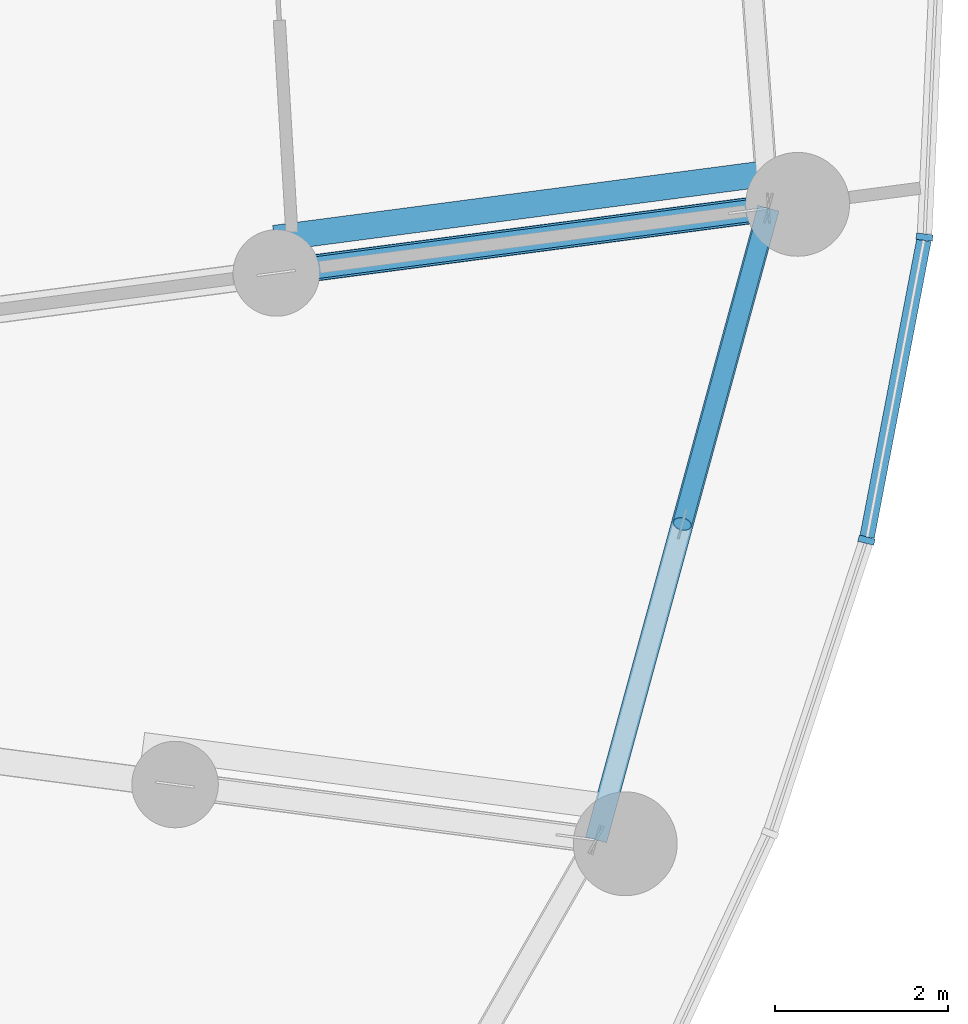
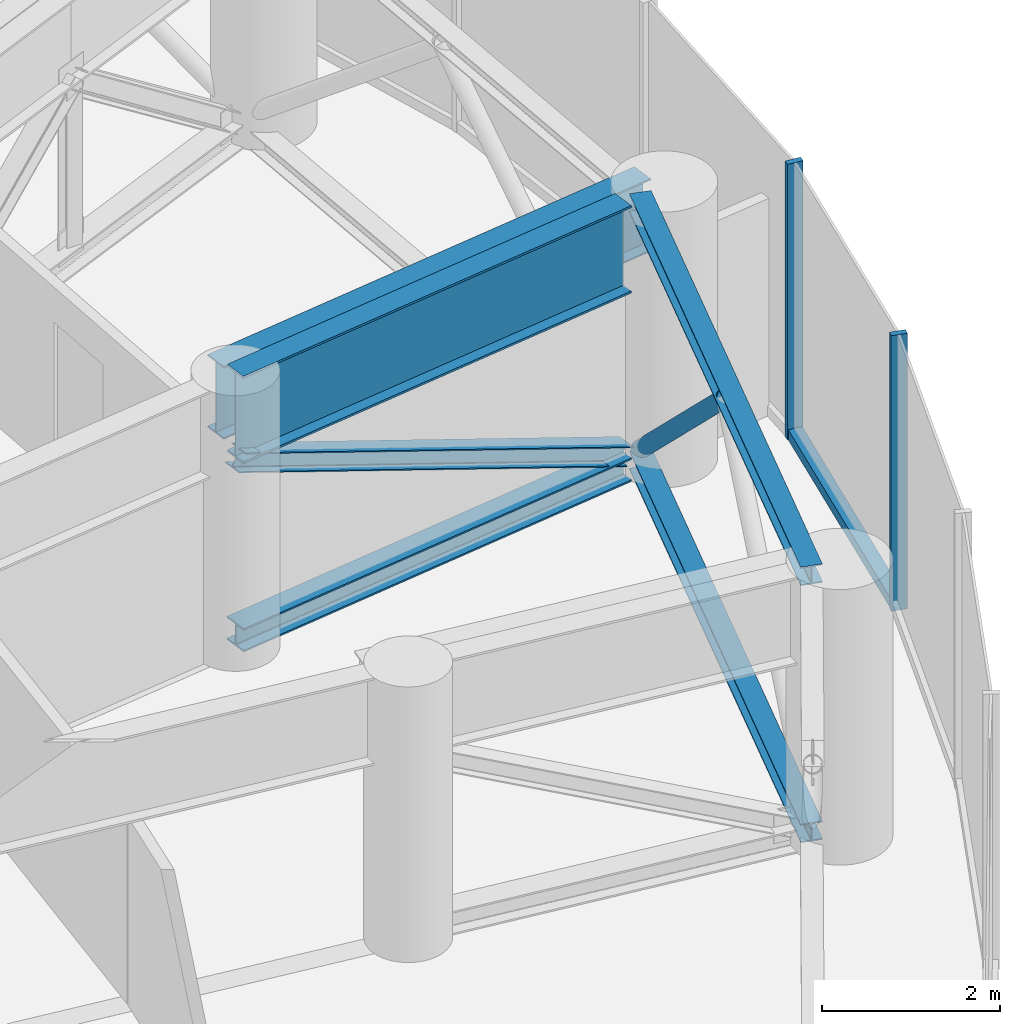
# One storey, part 7 of 33: 8 members, 2 beams, 1 element without a shape of its own.
"""IFC4 building model written with IfcOpenShell, lengths in metres."""

from ifc_helpers import new_model, si_unit, direction, frame, origin, origin_2d, place, context, subcontext, project, spatial, rectangle, hollow_circle, i_section, extrude, source, transform, mapped, material, layer, layer_set, material_profile, profile_set, type_object, element, aggregate, save


model = new_model("IFC4")

# Units and contexts
model_context = context("Model", 3, precision=1e-05, world=origin(), true_north=direction((0.0, 1.0)))
body_context = subcontext(model_context, "Body", "Model", "MODEL_VIEW")
ifc_project = project(units=[si_unit("LENGTHUNIT", "METRE"), si_unit("AREAUNIT", "SQUARE_METRE"), si_unit("VOLUMEUNIT", "CUBIC_METRE"), si_unit("PLANEANGLEUNIT", "RADIAN"), si_unit("MASSUNIT", "GRAM", prefix="KILO")], contexts=[model_context])

# Site, building, storey
site_placement = place(None, origin())
site = spatial("IfcSite", under=ifc_project, at=site_placement, CompositionType="ELEMENT")
building_placement = place(site_placement, origin())
building = spatial("IfcBuilding", under=site, at=building_placement, Name="Spindrift Exchange Tower", CompositionType="ELEMENT")
storey_placement = place(building_placement, frame((0.0, 0.0, 129.0)))
storey = spatial("IfcBuildingStorey", under=building, at=storey_placement, Name="L30", CompositionType="ELEMENT", Elevation=129.0)

# Beam
ifc_material_1 = material(Name="Steel Grade 300", Category="steel")
ifc_material_profile_1 = material_profile(ifc_material_1, i_section(OverallWidth=0.300048828125, OverallDepth=1.199951171875, WebThickness=0.011962890625, FlangeThickness=0.028076171875, at=origin_2d()), Name="1200WB249")
ifc_profile_set_1 = profile_set([ifc_material_profile_1], Name="Steel Grade 300")
beam_type_1 = type_object("IfcBeamType", Name="Outrigger Truss Transfer Girder 1200WB249 Steel Grade 300", PredefinedType="BEAM", material=ifc_profile_set_1)
shared_shape_1 = source(origin(), body_context, "Body", "SweptSolid", [
    extrude(i_section(OverallWidth=0.300048828125, OverallDepth=1.199951171875, WebThickness=0.011962890625, FlangeThickness=0.028076171875, at=origin_2d()), origin(), (0.0, 0.0, 1.0), 5.494140625),
])
beam_1_placement = place(storey_placement, frame((75.033935546875, 51.032470703125, 3.179931640625), z_axis=(0.991447336889, 0.130507387435, 0.0), x_axis=(-0.130507387435, 0.991447336889, 0.0)))
element("IfcBeam", 1, at=beam_1_placement, inside=storey, type_object=beam_type_1, Name="L30 outrigger truss 01 top chord 2", PredefinedType="BEAM", context=body_context, shape_type="MappedRepresentation", body=[
    mapped(shared_shape_1, transform((0.0, 0.0, 0.0), scale=1.0)),
])

# Members
ifc_material_profile_2 = material_profile(ifc_material_1, i_section(OverallWidth=0.30908203125, OverallDepth=0.321044921875, WebThickness=0.013916015625, FlangeThickness=0.021728515625, FilletRadius=0.0166015625, at=origin_2d()), Name="310UC137")
ifc_profile_set_2 = profile_set([ifc_material_profile_2], Name="Steel Grade 300")
member_type_1 = type_object("IfcMemberType", Name="Outrigger Truss Chord 310UC137 Steel Grade 300", PredefinedType="CHORD", material=ifc_profile_set_2)
shared_shape_2 = source(origin(), body_context, "Body", "SweptSolid", [
    extrude(i_section(OverallWidth=0.30908203125, OverallDepth=0.321044921875, WebThickness=0.013916015625, FlangeThickness=0.021728515625, FilletRadius=0.0166015625, at=origin_2d()), origin(), (0.0, 0.0, 1.0), 5.494140625),
])
member_1_placement = place(storey_placement, frame((75.033935546875, 51.032470703125, 0.160400390625), z_axis=(0.991447336889, 0.130507387435, 0.0), x_axis=(-0.130507387435, 0.991447336889, 0.0)))
element("IfcMember", 2, at=member_1_placement, inside=storey, type_object=member_type_1, Name="L30 outrigger truss 01 bottom chord 2", PredefinedType="CHORD", context=body_context, shape_type="MappedRepresentation", body=[
    mapped(shared_shape_2, transform((0.0, 0.0, 0.0), scale=1.0)),
])
ifc_material_profile_3 = material_profile(ifc_material_1, i_section(OverallWidth=0.25390625, OverallDepth=0.25390625, WebThickness=0.008544921875, FlangeThickness=0.01416015625, FilletRadius=0.011962890625, at=origin_2d()), Name="250UC72.9")
ifc_profile_set_3 = profile_set([ifc_material_profile_3], Name="Steel Grade 300")
member_type_2 = type_object("IfcMemberType", Name="Outrigger Truss Diagonal 250UC72.9 Steel Grade 300", PredefinedType="BRACE", material=ifc_profile_set_3)
shared_shape_3 = source(origin(), body_context, "Body", "SweptSolid", [
    extrude(i_section(OverallWidth=0.25390625, OverallDepth=0.25390625, WebThickness=0.008544921875, FlangeThickness=0.01416015625, FilletRadius=0.011962890625, at=origin_2d()), origin(), (0.0, 0.0, 1.0), 5.9404296875),
])
member_2_placement = place(storey_placement, frame((75.033935546875, 51.032470703125, 2.580078125), z_axis=(0.916963865456, 0.120702889604, -0.380273693397), x_axis=(-0.130507387435, 0.991447336889, 0.0)))
element("IfcMember", 3, at=member_2_placement, inside=storey, type_object=member_type_2, Name="L30 outrigger truss 01 diagonal 2", PredefinedType="BRACE", context=body_context, shape_type="MappedRepresentation", body=[
    mapped(shared_shape_3, transform((0.0, 0.0, 0.0), scale=1.0)),
])
ifc_material_profile_4 = material_profile(ifc_material_1, i_section(OverallWidth=0.25390625, OverallDepth=0.25390625, WebThickness=0.008544921875, FlangeThickness=0.01416015625, FilletRadius=0.011962890625, at=origin_2d()), Name="250UC72.9")
ifc_profile_set_4 = profile_set([ifc_material_profile_4], Name="Steel Grade 300")
member_type_3 = type_object("IfcMemberType", Name="Belt Truss Chord 250UC72.9 Steel Grade 300", PredefinedType="CHORD", material=ifc_profile_set_4)
shared_shape_4 = source(origin(), body_context, "Body", "SweptSolid", [
    extrude(i_section(OverallWidth=0.25390625, OverallDepth=0.25390625, WebThickness=0.008544921875, FlangeThickness=0.01416015625, FilletRadius=0.011962890625, at=origin_2d()), origin(), (0.0, 0.0, 1.0), 7.566650390625),
])
for number, where, z_axis, x_axis, name in (
    (4, (78.727294921875, 44.481201171875, 3.653076171875), (0.263251179447, 0.964727327549, 0.0), (-0.964727327549, 0.263251179447, 0.0), "L30 belt truss 24 top chord"),
    (5, (78.727294921875, 44.481201171875, 0.126953125), (0.263251179447, 0.964727327549, 0.0), (-0.964727327549, 0.263251179447, 0.0), "L30 belt truss 24 bottom chord"),
):
    element("IfcMember", number, at=place(storey_placement, frame(where, z_axis=z_axis, x_axis=x_axis)), inside=storey, type_object=member_type_3, Name=name, PredefinedType="CHORD", context=body_context, shape_type="MappedRepresentation", body=[
        mapped(shared_shape_4, transform((0.0, 0.0, 0.0), scale=1.0)),
    ])
ifc_material_2 = material(Name="Steel Grade 350", Category="steel")
ifc_material_profile_5 = material_profile(ifc_material_2, hollow_circle(Radius=0.109619140625, WallThickness=0.006103515625, at=origin_2d()), Name="219.1x6.0CHS")
ifc_profile_set_5 = profile_set([ifc_material_profile_5], Name="Steel Grade 350")
member_type_4 = type_object("IfcMemberType", Name="Belt Truss Diagonal 219.1x6.0CHS Steel Grade 350", PredefinedType="BRACE", material=ifc_profile_set_5)
shared_shape_5 = source(origin(), body_context, "Body", "SweptSolid", [
    extrude(hollow_circle(Radius=0.109619140625, WallThickness=0.006103515625, at=origin_2d()), origin(), (0.0, 0.0, 1.0), 5.001953125),
])
member_3_placement = place(storey_placement, frame((79.723388671875, 48.131103515625, 3.52587890625), z_axis=(0.199093052446, 0.72969873353, -0.654141968346), x_axis=(-0.964735521384, 0.263221149948, 0.0)))
element("IfcMember", 6, at=member_3_placement, inside=storey, type_object=member_type_4, Name="L30 belt truss 24 diagonal 2", PredefinedType="BRACE", context=body_context, shape_type="MappedRepresentation", body=[
    mapped(shared_shape_5, transform((0.0, 0.0, 0.0), scale=1.0)),
])

# Beam
ifc_material_profile_6 = material_profile(ifc_material_1, i_section(OverallWidth=0.300048828125, OverallDepth=1.0, WebThickness=0.010009765625, FlangeThickness=0.02001953125, at=origin_2d()), Name="1000WB215")
ifc_profile_set_6 = profile_set([ifc_material_profile_6], Name="Steel Grade 300")
beam_type_2 = type_object("IfcBeamType", Name="Transfer Tie Beam 1000WB215 Steel Grade 300", PredefinedType="BEAM", material=ifc_profile_set_6)
shared_shape_6 = source(origin(), body_context, "Body", "SweptSolid", [
    extrude(i_section(OverallWidth=0.300048828125, OverallDepth=1.0, WebThickness=0.010009765625, FlangeThickness=0.02001953125, at=origin_2d()), origin(), (0.0, 0.0, 1.0), 6.046142578125),
])
beam_2_placement = place(storey_placement, frame((81.004150390625, 52.221923828125, 3.179931640625), z_axis=(-0.991447284669, -0.130507784143, 0.0), x_axis=(0.130507784143, -0.991447284669, 0.0)))
element("IfcBeam", 7, at=beam_2_placement, inside=storey, type_object=beam_type_2, Name="L30 transfer tie beam K01", PredefinedType="BEAM", context=body_context, shape_type="MappedRepresentation", body=[
    mapped(shared_shape_6, transform((0.0, 0.0, 0.0), scale=1.0)),
])

# Curtain wall, members
ifc_material_3 = material(Name="Fritted laminated glass with bronze frame", Category="glass")
ifc_layer = layer(ifc_material_3, 0.18994140625)
ifc_layer_set = layer_set([ifc_layer], Name="ZONE 2 BRONZE FRITTED WALL")
curtain_wall_type = type_object("IfcCurtainWallType", Name="ZONE 2 BRONZE FRITTED WALL", PredefinedType="NOTDEFINED", material=ifc_layer_set)
curtain_wall_placement = place(storey_placement, origin())
curtain_wall = element("IfcCurtainWall", 8, at=curtain_wall_placement, inside=storey, type_object=curtain_wall_type, Name="L30 Zone 2 Bronze Fritted Wall run 8", PredefinedType="NOTDEFINED")
ifc_material_4 = material(Name="Bronze anodised aluminium", Category="aluminium")
ifc_material_profile_7 = material_profile(ifc_material_4, rectangle(XDim=0.169921875, YDim=0.139892578125, at=origin_2d()), Name="ZONE 2 BRONZE FRITTED WALL TRANSOM 170X140")
ifc_profile_set_7 = profile_set([ifc_material_profile_7], Name="Bronze anodised aluminium")
member_type_5 = type_object("IfcMemberType", Name="ZONE 2 BRONZE FRITTED WALL TRANSOM 170X140", PredefinedType="USERDEFINED", material=ifc_profile_set_7)
shared_shape_7 = source(origin(), body_context, "Body", "SweptSolid", [
    extrude(rectangle(XDim=0.169921875, YDim=0.139892578125, at=origin_2d()), origin(), (0.0, 0.0, 1.0), 3.489990234375),
])
member_4_placement = place(storey_placement, frame((81.859375, 47.98193359375, 0.070068359375), z_axis=(0.187970330307, 0.982174706926, 0.0), x_axis=(-0.982174706926, 0.187970330307, 0.0)))
member_4 = element("IfcMember", 9, at=member_4_placement, type_object=member_type_5, Name="L30 transom CW-2.47", ObjectType="TRANSOM", PredefinedType="USERDEFINED", context=body_context, shape_type="MappedRepresentation", body=[
    mapped(shared_shape_7, transform((0.0, 0.0, 0.0), scale=1.0)),
])
ifc_material_profile_8 = material_profile(ifc_material_4, rectangle(XDim=0.074951171875, YDim=0.18994140625, at=origin_2d()), Name="ZONE 2 BRONZE FRITTED WALL MULLION 75X190")
ifc_profile_set_8 = profile_set([ifc_material_profile_8], Name="Bronze anodised aluminium")
member_type_6 = type_object("IfcMemberType", Name="ZONE 2 BRONZE FRITTED WALL MULLION 75X190", PredefinedType="MULLION", material=ifc_profile_set_8)
shared_shape_8 = source(origin(), body_context, "Body", "SweptSolid", [
    extrude(rectangle(XDim=0.074951171875, YDim=0.18994140625, at=origin_2d()), origin(), (0.0, 0.0, 1.0), 3.780029296875),
])
member_5_placement = place(storey_placement, frame((81.852294921875, 47.945068359375, 0.0), z_axis=(0.0, 0.0, 1.0), x_axis=(0.250879006213, 0.968018452428, 0.0)))
member_5 = element("IfcMember", 10, at=member_5_placement, type_object=member_type_6, Name="L30 mullion CW-2.47", PredefinedType="MULLION", context=body_context, shape_type="MappedRepresentation", body=[
    mapped(shared_shape_8, transform((0.0, 0.0, 0.0), scale=1.0)),
])
member_6_placement = place(storey_placement, frame((82.5224609375, 51.446533203125, 0.0), z_axis=(0.0, 0.0, 1.0), x_axis=(0.11746829211, 0.993076633674, 0.0)))
member_6 = element("IfcMember", 11, at=member_6_placement, type_object=member_type_6, Name="L30 mullion CW-2.48", PredefinedType="MULLION", context=body_context, shape_type="MappedRepresentation", body=[
    mapped(shared_shape_8, transform((0.0, 0.0, 0.0), scale=1.0)),
])
aggregate(curtain_wall, [member_5, member_4, member_6])

save(model, "model.ifc")
